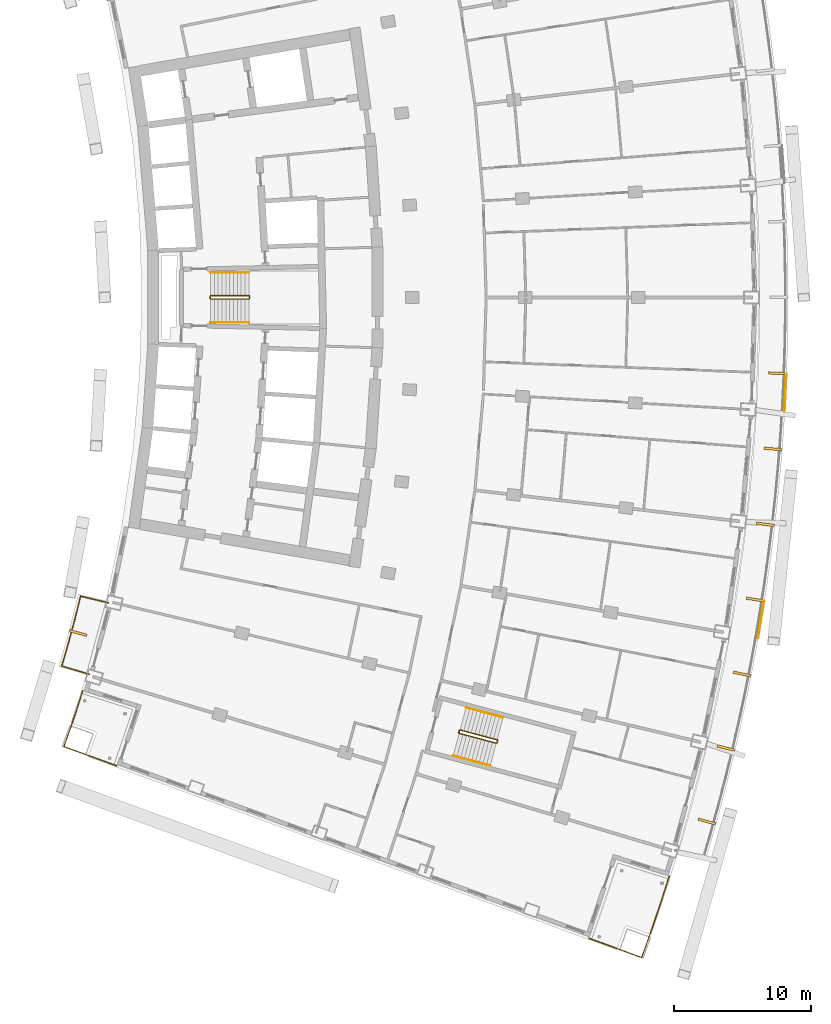
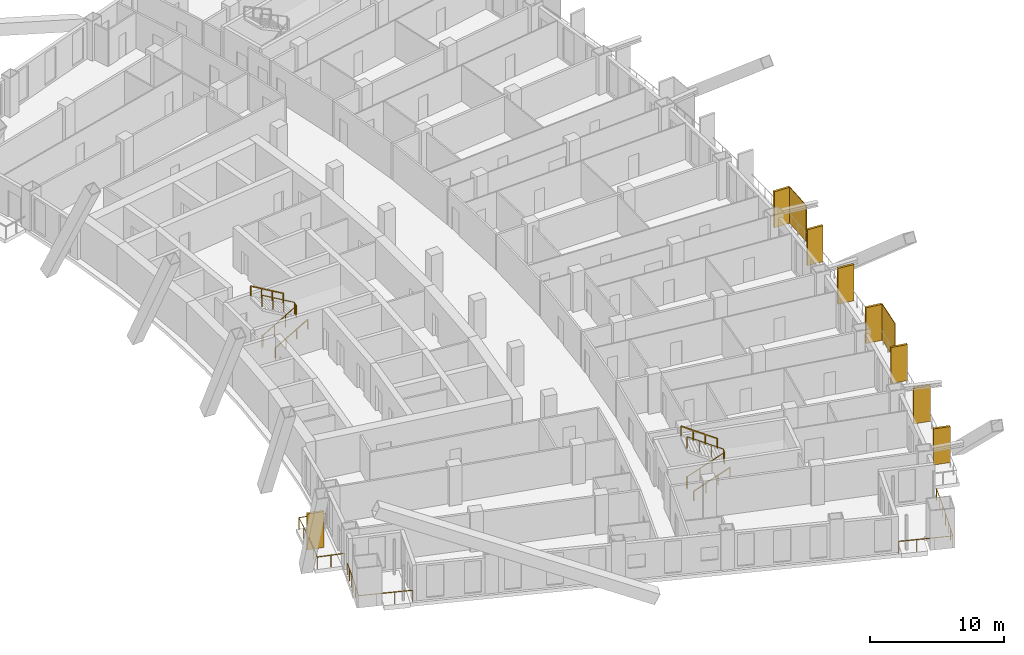
# One storey, part 23 of 25: 10 shading devices, 9 railings.
"""IFC4 building model written with IfcOpenShell, lengths in metres."""

import ifcopenshell
import ifcopenshell.guid

model = None  # the IFC model being written
_history = None  # IfcOwnerHistory: only IFC2X3 demands one
_inside = {}  # id of a spatial element -> (the spatial element, [elements in it])
_under = {}  # id of a project, library or spatial element -> (it, [spatial elements below it])
_declared = {}  # id of a project -> (the project, [libraries it declares])
_typed = {}  # id of a type object -> (the type object, [elements of that type])
_made_of = {}  # id of a material, layer set ... -> (it, [elements and type objects made of it])


def new_model(schema):
    """Start an empty IFC model of exactly this schema.

    Asked for "IFC4X3", IfcOpenShell would pick the latest addendum, in which some entities
    have other attributes; the version numbers below select the first issue.
    IFC2X3 requires an IfcOwnerHistory on every rooted entity: one is made here for all.
    """
    global model, _history
    if schema == "IFC4X3":
        model = ifcopenshell.file(schema_version=(4, 3, 0, 0))
    else:
        model = ifcopenshell.file(schema=schema)
    _inside.clear()
    _under.clear()
    _declared.clear()
    _typed.clear()
    _made_of.clear()
    _history = None
    if model.schema == "IFC2X3":
        org = make("IfcOrganization", Name="unknown")
        user = make(
            "IfcPersonAndOrganization",
            ThePerson=make("IfcPerson", FamilyName="unknown"),
            TheOrganization=org,
        )
        app = make(
            "IfcApplication",
            ApplicationDeveloper=org,
            Version="unknown",
            ApplicationFullName="unknown",
            ApplicationIdentifier="unknown",
        )
        _history = make(
            "IfcOwnerHistory",
            OwningUser=user,
            OwningApplication=app,
            ChangeAction="ADDED",
            CreationDate=0,
        )
    return model


def make(cls, **values):
    """One entity of the class cls with the attributes given. An attribute that is None is left unset."""
    return model.create_entity(
        cls, **{name: value for name, value in values.items() if value is not None}
    )


def rooted(cls, **values):
    """An entity with a GlobalId (a new one), such as an element, a storey or a relation."""
    return make(cls, GlobalId=ifcopenshell.guid.new(), OwnerHistory=_history, **values)


def si_unit(unit_type, name, prefix=None):
    """IfcSIUnit, for example si_unit("LENGTHUNIT", "METRE", prefix="MILLI")."""
    return make("IfcSIUnit", UnitType=unit_type, Prefix=prefix, Name=name)


def assignment(units):
    """IfcUnitAssignment: the units of a project."""
    return None if units is None else make("IfcUnitAssignment", Units=units)


def point(xyz):
    """IfcCartesianPoint."""
    return None if xyz is None else make("IfcCartesianPoint", Coordinates=xyz)


def direction(xyz):
    """IfcDirection."""
    return None if xyz is None else make("IfcDirection", DirectionRatios=xyz)


def frame(location, z_axis=None, x_axis=None):
    """IfcAxis2Placement3D, a coordinate frame: its origin and axes. An axis left out is left unset."""
    return make(
        "IfcAxis2Placement3D",
        Location=point(location),
        Axis=direction(z_axis),
        RefDirection=direction(x_axis),
    )


def frame_2d(location, x_axis=None):
    """IfcAxis2Placement2D, a coordinate frame in the plane: its origin and x axis."""
    return make(
        "IfcAxis2Placement2D", Location=point(location), RefDirection=direction(x_axis)
    )


def origin():
    """The frame at (0, 0, 0) with its axes left unset."""
    return frame((0.0, 0.0, 0.0))


def origin_with_axes():
    """The frame at (0, 0, 0) with the z axis (0, 0, 1) and the x axis (1, 0, 0) written out."""
    return frame((0.0, 0.0, 0.0), z_axis=(0.0, 0.0, 1.0), x_axis=(1.0, 0.0, 0.0))


def origin_2d():
    """The frame at (0, 0) in the plane with its x axis left unset."""
    return frame_2d((0.0, 0.0))


def place(relative_to, where):
    """IfcLocalPlacement: puts the frame where relative to a parent placement (None: the world)."""
    return make(
        "IfcLocalPlacement", PlacementRelTo=relative_to, RelativePlacement=where
    )


def context(
    kind, dimensions, precision=None, world=None, true_north=None, identifier=None
):
    """IfcGeometricRepresentationContext, for example the 3D "Model" context."""
    return make(
        "IfcGeometricRepresentationContext",
        ContextIdentifier=identifier,
        ContextType=kind,
        CoordinateSpaceDimension=dimensions,
        Precision=precision,
        WorldCoordinateSystem=world,
        TrueNorth=true_north,
    )


def subcontext(parent, identifier, kind, view, scale=None):
    """IfcGeometricRepresentationSubContext, for example "Body" below "Model"."""
    return make(
        "IfcGeometricRepresentationSubContext",
        ContextIdentifier=identifier,
        ContextType=kind,
        ParentContext=parent,
        TargetScale=scale,
        TargetView=view,
    )


def project(units=None, contexts=None):
    """IfcProject with its units and contexts."""
    return rooted(
        "IfcProject",
        Name="project",
        RepresentationContexts=contexts,
        UnitsInContext=assignment(units),
    )


def spatial(cls, under=None, at=None, **own):
    """A site, building, storey or space (cls), placed at a placement, below another one or the project."""
    s = rooted(cls, ObjectPlacement=at, **own)
    if under is not None:
        _under.setdefault(under.id(), (under, []))[1].append(s)
    return s


def profile(cls, at=None, kind="AREA", **sizes):
    """A parametric profile (cls). Its sizes go by their IFC names, for example OverallWidth=200.0."""
    return make(cls, ProfileType=kind, Position=at, **sizes)


def rectangle(**sizes):
    """IfcRectangleProfileDef."""
    return profile("IfcRectangleProfileDef", **sizes)


def extrude(swept, where, along, depth):
    """IfcExtrudedAreaSolid: the profile swept, set in the frame where, extruded along a direction by depth."""
    return make(
        "IfcExtrudedAreaSolid",
        SweptArea=swept,
        Position=where,
        ExtrudedDirection=direction(along),
        Depth=depth,
    )


def shape(context_of_items, identifier, shape_type, items):
    """IfcShapeRepresentation: the items that make up one representation, for example the "Body"."""
    return make(
        "IfcShapeRepresentation",
        ContextOfItems=context_of_items,
        RepresentationIdentifier=identifier,
        RepresentationType=shape_type,
        Items=items,
    )


def material(Name=None, Category=None):
    """IfcMaterial."""
    return make("IfcMaterial", Name=Name, Category=Category)


def layer(
    of_material, thickness, ventilated=None, Name=None, Category=None, Priority=None
):
    """IfcMaterialLayer: one layer of a wall or slab, of a material (None: an air gap)."""
    return make(
        "IfcMaterialLayer",
        Material=of_material,
        LayerThickness=thickness,
        IsVentilated=ventilated,
        Name=Name,
        Category=Category,
        Priority=Priority,
    )


def layer_set(layers, Name=None):
    """IfcMaterialLayerSet."""
    return make("IfcMaterialLayerSet", MaterialLayers=layers, LayerSetName=Name)


def made_of(thing, what):
    """Note that an element or type object is made of a material, layer set ...; save() writes the relation."""
    if what is not None:
        _made_of.setdefault(what.id(), (what, []))[1].append(thing)
    return thing


def type_object(cls, material=None, **own):
    """A type object (cls), such as IfcWallType, which elements share."""
    return made_of(rooted(cls, **own), material)


def element(
    cls,
    number,
    at=None,
    inside=None,
    cuts=None,
    type_object=None,
    material=None,
    context=None,
    identifier="Body",
    shape_type=None,
    held_by="IfcProductDefinitionShape",
    body=None,
    shapes=None,
    **own,
):
    """One element of the class cls, such as IfcWall. Its Tag is "e" and its number.

    at: its placement. inside: the storey or other place that contains it. cuts: it is an
    opening in that element (IfcRelVoidsElement). A single representation is given by context,
    identifier, shape_type and body (its items); several are given by shapes. held_by: the class
    of the entity that holds the representations. save() writes the other relations.
    """
    e = rooted(cls, Tag="e%d" % number, ObjectPlacement=at, **own)
    if body is not None:
        shapes = [shape(context, identifier, shape_type, body)]
    if shapes is not None:
        e.Representation = make(held_by, Representations=shapes)
    if inside is not None:
        _inside.setdefault(inside.id(), (inside, []))[1].append(e)
    if cuts is not None:
        rooted(
            "IfcRelVoidsElement", RelatingBuildingElement=cuts, RelatedOpeningElement=e
        )
    if type_object is not None:
        _typed.setdefault(type_object.id(), (type_object, []))[1].append(e)
    return made_of(e, material)


def aggregate(whole, parts):
    """IfcRelAggregates: a whole, such as a stair, and the parts it consists of."""
    return rooted("IfcRelAggregates", RelatingObject=whole, RelatedObjects=parts)


def save(model, path):
    """Write the relations noted so far, then the file.

    IfcRelAggregates (storeys below a building ...), IfcRelContainedInSpatialStructure (elements
    in a storey), IfcRelDefinesByType, IfcRelAssociatesMaterial and IfcRelDeclares: one each for
    every whole, place, type object, material and project.
    """
    for whole, parts in _under.values():
        aggregate(whole, parts)
    for where, things in _inside.values():
        rooted(
            "IfcRelContainedInSpatialStructure",
            RelatedElements=things,
            RelatingStructure=where,
        )
    for kind, things in _typed.values():
        rooted("IfcRelDefinesByType", RelatedObjects=things, RelatingType=kind)
    for what, things in _made_of.values():
        rooted("IfcRelAssociatesMaterial", RelatedObjects=things, RelatingMaterial=what)
    for by, libraries in _declared.values():
        rooted("IfcRelDeclares", RelatingContext=by, RelatedDefinitions=libraries)
    model.write(path)


model = new_model("IFC4")

# Units and contexts
model_context = context("Model", 3, precision=1e-05, world=origin(), true_north=direction((0.0, 1.0)))
body_context = subcontext(model_context, "Body", "Model", "MODEL_VIEW")
ifc_project = project(units=[si_unit("LENGTHUNIT", "METRE"), si_unit("AREAUNIT", "SQUARE_METRE"), si_unit("VOLUMEUNIT", "CUBIC_METRE"), si_unit("PLANEANGLEUNIT", "RADIAN"), si_unit("MASSUNIT", "GRAM", prefix="KILO")], contexts=[model_context])

# Site, building, storey
site_placement = place(None, origin())
site = spatial("IfcSite", under=ifc_project, at=site_placement, CompositionType="ELEMENT")
building_placement = place(site_placement, origin())
building = spatial("IfcBuilding", under=site, at=building_placement, Name="Alderwake Tower", CompositionType="ELEMENT")
storey_placement = place(building_placement, frame((0.0, 0.0, 114.800048828125)))
storey = spatial("IfcBuildingStorey", under=building, at=storey_placement, Name="L28", CompositionType="ELEMENT", Elevation=114.800048828125)

# Railings
ifc_material_1 = material(Name="Stainless steel 316 rail and posts", Category="steel")
railing_type_1 = type_object("IfcRailingType", Name="Balcony guard 1100", PredefinedType="GUARDRAIL", material=ifc_material_1)
railing_1_placement = place(storey_placement, frame((12.16650390625, 33.435791015625, 0.0)))
element("IfcRailing", 1, at=railing_1_placement, inside=storey, type_object=railing_type_1, Name="Guard BR02", PredefinedType="GUARDRAIL", context=body_context, shape_type="SweptSolid", body=[
    extrude(rectangle(XDim=0.048095703125, YDim=0.048095703125, at=origin_2d()), frame((0.0, 0.0, 1.076171875), z_axis=(-0.958091458885, 0.286462486918, 0.0), x_axis=(-0.286462486918, -0.958091458885, 0.0)), (0.0, 0.0, 1.0), 2.099853515625),
    extrude(rectangle(XDim=0.048095703125, YDim=0.048095703125, at=origin_2d()), frame((-2.011962890625, 0.6015625, 1.076171875), z_axis=(0.279963157487, 0.960010744966, 0.0), x_axis=(-0.960010744966, 0.279963157487, 0.0)), (0.0, 0.0, 1.0), 1.272216796875),
    extrude(rectangle(XDim=0.048095703125, YDim=0.048095703125, at=origin_2d()), frame((-1.65576171875, 1.822998046875, 1.076171875), z_axis=(0.266487604617, 0.963838345671, 0.0), x_axis=(-0.963838345671, 0.266487604617, 0.0)), (0.0, 0.0, 1.0), 1.372314453125),
    extrude(rectangle(XDim=0.048095703125, YDim=0.048095703125, at=origin_2d()), frame((-1.2900390625, 3.145751953125, 1.076171875), z_axis=(0.252487086228, 0.967600264204, 0.0), x_axis=(-0.967600264204, 0.252487086228, 0.0)), (0.0, 0.0, 1.0), 1.3720703125),
    extrude(rectangle(XDim=0.048095703125, YDim=0.048095703125, at=origin_2d()), frame((-0.943603515625, 4.473388671875, 1.076171875), z_axis=(0.238877101641, 0.971049808358, 0.0), x_axis=(-0.971049808358, 0.238877101641, 0.0)), (0.0, 0.0, 1.0), 1.2724609375),
    extrude(rectangle(XDim=0.048095703125, YDim=0.048095703125, at=origin_2d()), frame((-0.6396484375, 5.708984375, 1.076171875), z_axis=(0.972646310656, -0.232291098337, 0.0), x_axis=(0.232291098337, 0.972646310656, 0.0)), (0.0, 0.0, 1.0), 2.099853515625),
    extrude(rectangle(XDim=0.0419921875, YDim=0.0419921875, at=origin_2d()), frame((0.0, 0.0, 0.0), z_axis=(0.0, 0.0, 1.0), x_axis=(-0.958091458885, 0.286462486918, 0.0)), (0.0, 0.0, 1.0), 1.052001953125),
    extrude(rectangle(XDim=0.0419921875, YDim=0.0419921875, at=origin_2d()), frame((-1.005859375, 0.30078125, 0.0), z_axis=(0.0, 0.0, 1.0), x_axis=(-0.958091458885, 0.286462486918, 0.0)), (0.0, 0.0, 1.0), 1.052001953125),
    extrude(rectangle(XDim=0.0419921875, YDim=0.0419921875, at=origin_2d()), frame((-2.011962890625, 0.6015625, 0.0), z_axis=(0.0, 0.0, 1.0), x_axis=(0.279963157487, 0.960010744966, 0.0)), (0.0, 0.0, 1.0), 1.052001953125),
    extrude(rectangle(XDim=0.0419921875, YDim=0.0419921875, at=origin_2d()), frame((-1.65576171875, 1.822998046875, 0.0), z_axis=(0.0, 0.0, 1.0), x_axis=(0.266487604617, 0.963838345671, 0.0)), (0.0, 0.0, 1.0), 1.052001953125),
    extrude(rectangle(XDim=0.0419921875, YDim=0.0419921875, at=origin_2d()), frame((-1.2900390625, 3.145751953125, 0.0), z_axis=(0.0, 0.0, 1.0), x_axis=(0.252487086228, 0.967600264204, 0.0)), (0.0, 0.0, 1.0), 1.052001953125),
    extrude(rectangle(XDim=0.0419921875, YDim=0.0419921875, at=origin_2d()), frame((-0.943603515625, 4.473388671875, 0.0), z_axis=(0.0, 0.0, 1.0), x_axis=(0.238877101641, 0.971049808358, 0.0)), (0.0, 0.0, 1.0), 1.052001953125),
    extrude(rectangle(XDim=0.0419921875, YDim=0.0419921875, at=origin_2d()), frame((-0.6396484375, 5.708984375, 0.0), z_axis=(0.0, 0.0, 1.0), x_axis=(0.972646310656, -0.232291098337, 0.0)), (0.0, 0.0, 1.0), 1.052001953125),
    extrude(rectangle(XDim=0.0419921875, YDim=0.0419921875, at=origin_2d()), frame((0.381591796875, 5.465087890625, 0.0), z_axis=(0.0, 0.0, 1.0), x_axis=(0.972646310656, -0.232291098337, 0.0)), (0.0, 0.0, 1.0), 1.052001953125),
    extrude(rectangle(XDim=0.0419921875, YDim=0.0419921875, at=origin_2d()), frame((1.40283203125, 5.22119140625, 0.0), z_axis=(0.0, 0.0, 1.0), x_axis=(0.972646310656, -0.232291098337, 0.0)), (0.0, 0.0, 1.0), 1.052001953125),
])
railing_2_placement = place(storey_placement, frame((54.594970703125, 18.651123046875, 0.0)))
element("IfcRailing", 2, at=railing_2_placement, inside=storey, type_object=railing_type_1, Name="Guard terrace FS", PredefinedType="GUARDRAIL", context=body_context, shape_type="SweptSolid", body=[
    extrude(rectangle(XDim=0.048095703125, YDim=0.048095703125, at=origin_2d()), frame((0.0, 0.0, 1.076171875), z_axis=(-0.307779974329, -0.951457559433, 0.0), x_axis=(0.951457559433, -0.307779974329, 0.0)), (0.0, 0.0, 1.0), 2.257568359375),
    extrude(rectangle(XDim=0.048095703125, YDim=0.048095703125, at=origin_2d()), frame((-0.69482421875, -2.14794921875, 1.076171875), z_axis=(-0.322236651578, -0.946659146884, 0.0), x_axis=(0.946659146884, -0.322236651578, 0.0)), (0.0, 0.0, 1.0), 2.057861328125),
    extrude(rectangle(XDim=0.048095703125, YDim=0.048095703125, at=origin_2d()), frame((-1.35791015625, -4.095947265625, 1.076171875), z_axis=(-0.335838646603, -0.941919531302, 0.0), x_axis=(0.941919531302, -0.335838646603, 0.0)), (0.0, 0.0, 1.0), 1.957763671875),
    extrude(rectangle(XDim=0.048095703125, YDim=0.048095703125, at=origin_2d()), frame((-2.015380859375, -5.93994140625, 1.076171875), z_axis=(-0.939617696184, 0.342225926863, 0.0), x_axis=(-0.342225926863, -0.939617696184, 0.0)), (0.0, 0.0, 1.0), 4.099853515625),
    extrude(rectangle(XDim=0.0419921875, YDim=0.0419921875, at=origin_2d()), frame((0.0, 0.0, 0.0), z_axis=(0.0, 0.0, 1.0), x_axis=(-0.307779974329, -0.951457559433, 0.0)), (0.0, 0.0, 1.0), 1.052001953125),
    extrude(rectangle(XDim=0.0419921875, YDim=0.0419921875, at=origin_2d()), frame((-0.347412109375, -1.073974609375, 0.0), z_axis=(0.0, 0.0, 1.0), x_axis=(-0.307779974329, -0.951457559433, 0.0)), (0.0, 0.0, 1.0), 1.052001953125),
    extrude(rectangle(XDim=0.0419921875, YDim=0.0419921875, at=origin_2d()), frame((-0.69482421875, -2.14794921875, 0.0), z_axis=(0.0, 0.0, 1.0), x_axis=(-0.322236651578, -0.946659146884, 0.0)), (0.0, 0.0, 1.0), 1.052001953125),
    extrude(rectangle(XDim=0.0419921875, YDim=0.0419921875, at=origin_2d()), frame((-1.0263671875, -3.1220703125, 0.0), z_axis=(0.0, 0.0, 1.0), x_axis=(-0.322236651578, -0.946659146884, 0.0)), (0.0, 0.0, 1.0), 1.052001953125),
    extrude(rectangle(XDim=0.0419921875, YDim=0.0419921875, at=origin_2d()), frame((-1.35791015625, -4.095947265625, 0.0), z_axis=(0.0, 0.0, 1.0), x_axis=(-0.335838646603, -0.941919531302, 0.0)), (0.0, 0.0, 1.0), 1.052001953125),
    extrude(rectangle(XDim=0.0419921875, YDim=0.0419921875, at=origin_2d()), frame((-1.6865234375, -5.01806640625, 0.0), z_axis=(0.0, 0.0, 1.0), x_axis=(-0.335838646603, -0.941919531302, 0.0)), (0.0, 0.0, 1.0), 1.052001953125),
    extrude(rectangle(XDim=0.0419921875, YDim=0.0419921875, at=origin_2d()), frame((-2.015380859375, -5.93994140625, 0.0), z_axis=(0.0, 0.0, 1.0), x_axis=(-0.939617696184, 0.342225926863, 0.0)), (0.0, 0.0, 1.0), 1.052001953125),
    extrude(rectangle(XDim=0.0419921875, YDim=0.0419921875, at=origin_2d()), frame((-3.299560546875, -5.47216796875, 0.0), z_axis=(0.0, 0.0, 1.0), x_axis=(-0.939617696184, 0.342225926863, 0.0)), (0.0, 0.0, 1.0), 1.052001953125),
    extrude(rectangle(XDim=0.0419921875, YDim=0.0419921875, at=origin_2d()), frame((-4.58349609375, -5.004638671875, 0.0), z_axis=(0.0, 0.0, 1.0), x_axis=(-0.939617696184, 0.342225926863, 0.0)), (0.0, 0.0, 1.0), 1.052001953125),
    extrude(rectangle(XDim=0.0419921875, YDim=0.0419921875, at=origin_2d()), frame((-5.86767578125, -4.536865234375, 0.0), z_axis=(0.0, 0.0, 1.0), x_axis=(-0.939617696184, 0.342225926863, 0.0)), (0.0, 0.0, 1.0), 1.052001953125),
])
railing_3_placement = place(storey_placement, frame((11.688720703125, 32.218017578125, 0.0)))
element("IfcRailing", 3, at=railing_3_placement, inside=storey, type_object=railing_type_1, Name="Guard terrace RS", PredefinedType="GUARDRAIL", context=body_context, shape_type="SweptSolid", body=[
    extrude(rectangle(XDim=0.048095703125, YDim=0.048095703125, at=origin_2d()), frame((0.0, 0.0, 1.076171875), z_axis=(-0.307479326145, -0.951554761426, 0.0), x_axis=(0.951554761426, -0.307479326145, 0.0)), (0.0, 0.0, 1.0), 1.6015625),
    extrude(rectangle(XDim=0.048095703125, YDim=0.048095703125, at=origin_2d()), frame((-0.492431640625, -1.52392578125, 1.076171875), z_axis=(-0.322283727344, -0.946643121292, 0.0), x_axis=(0.946643121292, -0.322283727344, 0.0)), (0.0, 0.0, 1.0), 1.4013671875),
    extrude(rectangle(XDim=0.048095703125, YDim=0.048095703125, at=origin_2d()), frame((-0.944091796875, -2.8505859375, 1.076171875), z_axis=(-0.335468607403, -0.942051385778, 0.0), x_axis=(0.942051385778, -0.335468607403, 0.0)), (0.0, 0.0, 1.0), 1.30126953125),
    extrude(rectangle(XDim=0.048095703125, YDim=0.048095703125, at=origin_2d()), frame((-1.380615234375, -4.076416015625, 1.076171875), z_axis=(0.939708203232, -0.341977327873, 0.0), x_axis=(0.341977327873, 0.939708203232, 0.0)), (0.0, 0.0, 1.0), 4.10009765625),
    extrude(rectangle(XDim=0.0419921875, YDim=0.0419921875, at=origin_2d()), frame((0.0, 0.0, 0.0), z_axis=(0.0, 0.0, 1.0), x_axis=(-0.307479326145, -0.951554761426, 0.0)), (0.0, 0.0, 1.0), 1.052001953125),
    extrude(rectangle(XDim=0.0419921875, YDim=0.0419921875, at=origin_2d()), frame((-0.24609375, -0.761962890625, 0.0), z_axis=(0.0, 0.0, 1.0), x_axis=(-0.307479326145, -0.951554761426, 0.0)), (0.0, 0.0, 1.0), 1.052001953125),
    extrude(rectangle(XDim=0.0419921875, YDim=0.0419921875, at=origin_2d()), frame((-0.492431640625, -1.52392578125, 0.0), z_axis=(0.0, 0.0, 1.0), x_axis=(-0.322283727344, -0.946643121292, 0.0)), (0.0, 0.0, 1.0), 1.052001953125),
    extrude(rectangle(XDim=0.0419921875, YDim=0.0419921875, at=origin_2d()), frame((-0.71826171875, -2.187255859375, 0.0), z_axis=(0.0, 0.0, 1.0), x_axis=(-0.322283727344, -0.946643121292, 0.0)), (0.0, 0.0, 1.0), 1.052001953125),
    extrude(rectangle(XDim=0.0419921875, YDim=0.0419921875, at=origin_2d()), frame((-0.944091796875, -2.8505859375, 0.0), z_axis=(0.0, 0.0, 1.0), x_axis=(-0.335468607403, -0.942051385778, 0.0)), (0.0, 0.0, 1.0), 1.052001953125),
    extrude(rectangle(XDim=0.0419921875, YDim=0.0419921875, at=origin_2d()), frame((-1.380615234375, -4.076416015625, 0.0), z_axis=(0.0, 0.0, 1.0), x_axis=(0.939708203232, -0.341977327873, 0.0)), (0.0, 0.0, 1.0), 1.052001953125),
    extrude(rectangle(XDim=0.0419921875, YDim=0.0419921875, at=origin_2d()), frame((-0.096435546875, -4.543701171875, 0.0), z_axis=(0.0, 0.0, 1.0), x_axis=(0.939708203232, -0.341977327873, 0.0)), (0.0, 0.0, 1.0), 1.052001953125),
    extrude(rectangle(XDim=0.0419921875, YDim=0.0419921875, at=origin_2d()), frame((1.18798828125, -5.01123046875, 0.0), z_axis=(0.0, 0.0, 1.0), x_axis=(0.939708203232, -0.341977327873, 0.0)), (0.0, 0.0, 1.0), 1.052001953125),
    extrude(rectangle(XDim=0.0419921875, YDim=0.0419921875, at=origin_2d()), frame((2.47216796875, -5.478515625, 0.0), z_axis=(0.0, 0.0, 1.0), x_axis=(0.939708203232, -0.341977327873, 0.0)), (0.0, 0.0, 1.0), 1.052001953125),
])

# Shading devices
ifc_material_2 = material(Name="Bronze anodised aluminium", Category="aluminium")
ifc_layer_1 = layer(ifc_material_2, 0.179931640625)
ifc_layer_set_1 = layer_set([ifc_layer_1], Name="Facade fin 1300")
shading_device_type_1 = type_object("IfcShadingDeviceType", Name="Facade fin 1300", PredefinedType="USERDEFINED", material=ifc_layer_set_1)
for number, where, z_axis, x_axis, name in (
    (4, (57.349609375, 22.661865234375, 0.0), (0.0, 0.0, 1.0), (0.96318180783, -0.268850897459, 0.0), "Fin"),
    (5, (58.73681640625, 28.032470703125, 0.0), (0.0, 0.0, 1.0), (0.972908790564, -0.231189284448, 0.0), "Fin"),
    (6, (59.9140625, 33.452880859375, 0.0), (0.0, 0.0, 1.0), (0.981163751315, -0.193177879441, 0.0), "Fin"),
    (7, (60.877197265625, 38.90087890625, 0.0), (0.0, 0.0, 1.0), (0.987918787879, -0.154972476771, 0.0), "Fin"),
    (8, (61.630126953125, 44.396240234375, 0.0), (0.0, 0.0, 1.0), (0.993198315083, -0.116434990084, 0.0), "Fin"),
    (9, (62.168701171875, 49.9169921875, 0.0), (0.0, 0.0, 1.0), (0.996975122026, -0.077721335943, 0.0), "Fin"),
    (10, (62.4921875, 55.454345703125, 0.0), (0.0, 0.0, 1.0), (0.999243494356, -0.038890088543, 0.0), "Fin"),
    (11, (11.359375, 36.45166015625, 0.0), (0.0, 0.0, 1.0), (0.965744448231, -0.259495010957, 0.0), "Fin"),
):
    element("IfcShadingDevice", number, at=place(storey_placement, frame(where, z_axis=z_axis, x_axis=x_axis)), inside=storey, type_object=shading_device_type_1, Name=name, ObjectType="FIN", PredefinedType="USERDEFINED", context=body_context, shape_type="SweptSolid", body=[
        extrude(rectangle(XDim=1.300048828125, YDim=0.179931640625, at=origin_2d()), origin(), (0.0, 0.0, 1.0), 3.280029296875),
    ])
ifc_material_3 = material(Name="Perforated bronze anodised aluminium", Category="aluminium")
ifc_layer_2 = layer(ifc_material_3, 0.050048828125)
ifc_layer_set_2 = layer_set([ifc_layer_2], Name="Perforated screen panel")
shading_device_type_2 = type_object("IfcShadingDeviceType", Name="Perforated screen panel", PredefinedType="USERDEFINED", material=ifc_layer_set_2)
for number, where, z_axis, x_axis, name in (
    (12, (61.3154296875, 37.425537109375, 0.0), (0.0, 0.0, 1.0), (0.986369013299, -0.164548380739, 0.0), "Screen panel"),
    (13, (63.09912109375, 54.039794921875, 0.0), (0.0, 0.0, 1.0), (0.998819231138, -0.048581308217, 0.0), "Screen panel"),
):
    element("IfcShadingDevice", number, at=place(storey_placement, frame(where, z_axis=z_axis, x_axis=x_axis)), inside=storey, type_object=shading_device_type_2, Name=name, ObjectType="SCREEN", PredefinedType="USERDEFINED", context=body_context, shape_type="SweptSolid", body=[
        extrude(rectangle(XDim=0.050048828125, YDim=2.779541015625, at=origin_2d()), origin(), (0.0, 0.0, 1.0), 3.280029296875),
    ])

# Railings
ifc_material_4 = material(Name="Stainless steel guard", Category="steel")
railing_type_2 = type_object("IfcRailingType", Name="Stair guard 1100", PredefinedType="GUARDRAIL", material=ifc_material_4)
railing_4_placement = place(storey_placement, frame((20.989990234375, 60.925048828125, 0.0)))
element("IfcRailing", 14, at=railing_4_placement, inside=storey, type_object=railing_type_2, Name="L28 ST-B stair guard 1", PredefinedType="GUARDRAIL", context=body_context, shape_type="SweptSolid", body=[
    extrude(rectangle(XDim=0.048095703125, YDim=0.048095703125, at=origin_2d()), frame((0.0, 0.0, 1.076171875), z_axis=(0.0, 1.0, 0.0), x_axis=(-1.0, 0.0, 0.0)), (0.0, 0.0, 1.0), 0.14990234375),
    extrude(rectangle(XDim=0.048095703125, YDim=0.048095703125, at=origin_2d()), frame((0.0, 0.14990234375, 1.076171875), z_axis=(0.190199549216, -0.759870394187, 0.621627795), x_axis=(0.970072785993, 0.242814311512, 0.0)), (0.0, 0.0, 1.0), 0.26318359375),
    extrude(rectangle(XDim=0.048095703125, YDim=0.048095703125, at=origin_2d()), frame((0.050048828125, -0.050048828125, 1.23974609375), z_axis=(0.863360870873, 0.0, 0.504586966384), x_axis=(0.0, 1.0, 0.0)), (0.0, 0.0, 1.0), 3.2431640625),
    extrude(rectangle(XDim=0.048095703125, YDim=0.048095703125, at=origin_2d()), frame((2.85009765625, -0.050048828125, 2.8759765625), z_axis=(0.705375805398, 0.708833529934, 0.0), x_axis=(-0.708833529934, 0.705375805398, 0.0)), (0.0, 0.0, 1.0), 0.070556640625),
    extrude(rectangle(XDim=0.048095703125, YDim=0.048095703125, at=origin_2d()), frame((2.89990234375, 0.0, 2.8759765625), z_axis=(0.0, 1.0, 0.0), x_axis=(-1.0, 0.0, 0.0)), (0.0, 0.0, 1.0), 0.14990234375),
    extrude(rectangle(XDim=0.048095703125, YDim=0.048095703125, at=origin_2d()), frame((2.89990234375, 0.14990234375, 2.8759765625), z_axis=(-0.279546231943, 0.280916556609, 0.91811752648), x_axis=(-0.708833529934, -0.705375805398, 0.0)), (0.0, 0.0, 1.0), 0.17822265625),
    extrude(rectangle(XDim=0.048095703125, YDim=0.048095703125, at=origin_2d()), frame((2.85009765625, 0.199951171875, 3.03955078125), z_axis=(-0.863393664356, 0.0, 0.504530851732), x_axis=(0.0, -1.0, 0.0)), (0.0, 0.0, 1.0), 3.2431640625),
    extrude(rectangle(XDim=0.0419921875, YDim=0.0419921875, at=origin_2d()), frame((0.0, 0.0, 0.0), z_axis=(0.0, 0.0, 1.0), x_axis=(0.0, 1.0, 0.0)), (0.0, 0.0, 1.0), 1.052001953125),
    extrude(rectangle(XDim=0.0419921875, YDim=0.0419921875, at=origin_2d()), frame((0.0, 0.14990234375, 0.0), z_axis=(0.0, 0.0, 1.0), x_axis=(0.242814311512, -0.970072785993, 0.0)), (0.0, 0.0, 1.0), 1.052001953125),
    extrude(rectangle(XDim=0.0419921875, YDim=0.0419921875, at=origin_2d()), frame((0.050048828125, -0.050048828125, 0.16357421875), z_axis=(0.0, 0.0, 1.0), x_axis=(1.0, 0.0, 0.0)), (0.0, 0.0, 1.0), 1.052001953125),
    extrude(rectangle(XDim=0.0419921875, YDim=0.0419921875, at=origin_2d()), frame((0.9833984375, -0.050048828125, 0.708984375), z_axis=(0.0, 0.0, 1.0), x_axis=(1.0, 0.0, 0.0)), (0.0, 0.0, 1.0), 1.052001953125),
    extrude(rectangle(XDim=0.0419921875, YDim=0.0419921875, at=origin_2d()), frame((1.916748046875, -0.050048828125, 1.254638671875), z_axis=(0.0, 0.0, 1.0), x_axis=(1.0, 0.0, 0.0)), (0.0, 0.0, 1.0), 1.052001953125),
    extrude(rectangle(XDim=0.0419921875, YDim=0.0419921875, at=origin_2d()), frame((2.85009765625, -0.050048828125, 1.800048828125), z_axis=(0.0, 0.0, 1.0), x_axis=(0.705375805398, 0.708833529934, 0.0)), (0.0, 0.0, 1.0), 1.052001953125),
    extrude(rectangle(XDim=0.0419921875, YDim=0.0419921875, at=origin_2d()), frame((2.89990234375, 0.0, 1.800048828125), z_axis=(0.0, 0.0, 1.0), x_axis=(0.0, 1.0, 0.0)), (0.0, 0.0, 1.0), 1.052001953125),
    extrude(rectangle(XDim=0.0419921875, YDim=0.0419921875, at=origin_2d()), frame((2.89990234375, 0.14990234375, 1.800048828125), z_axis=(0.0, 0.0, 1.0), x_axis=(-0.705375805398, 0.708833529934, 0.0)), (0.0, 0.0, 1.0), 1.052001953125),
    extrude(rectangle(XDim=0.0419921875, YDim=0.0419921875, at=origin_2d()), frame((2.85009765625, 0.199951171875, 1.963623046875), z_axis=(0.0, 0.0, 1.0), x_axis=(-1.0, 0.0, 0.0)), (0.0, 0.0, 1.0), 1.052001953125),
    extrude(rectangle(XDim=0.0419921875, YDim=0.0419921875, at=origin_2d()), frame((1.916748046875, 0.199951171875, 2.509033203125), z_axis=(0.0, 0.0, 1.0), x_axis=(-1.0, 0.0, 0.0)), (0.0, 0.0, 1.0), 1.052001953125),
    extrude(rectangle(XDim=0.0419921875, YDim=0.0419921875, at=origin_2d()), frame((0.9833984375, 0.199951171875, 3.054443359375), z_axis=(0.0, 0.0, 1.0), x_axis=(-1.0, 0.0, 0.0)), (0.0, 0.0, 1.0), 1.052001953125),
    extrude(rectangle(XDim=0.0419921875, YDim=0.0419921875, at=origin_2d()), frame((0.050048828125, 0.199951171875, 3.599853515625), z_axis=(0.0, 0.0, 1.0), x_axis=(-1.0, 0.0, 0.0)), (0.0, 0.0, 1.0), 1.052001953125),
])
railing_5_placement = place(storey_placement, frame((39.1943359375, 29.17431640625, 0.0)))
element("IfcRailing", 15, at=railing_5_placement, inside=storey, type_object=railing_type_2, Name="L28 ST-C stair guard 1", PredefinedType="GUARDRAIL", context=body_context, shape_type="SweptSolid", body=[
    extrude(rectangle(XDim=0.048095703125, YDim=0.048095703125, at=origin_2d()), frame((0.0, 0.0, 1.076171875), z_axis=(0.257459803502, 0.966289009345, 0.0), x_axis=(-0.966289009345, 0.257459803502, 0.0)), (0.0, 0.0, 1.0), 0.14990234375),
    extrude(rectangle(XDim=0.048095703125, YDim=0.048095703125, at=origin_2d()), frame((0.03857421875, 0.144775390625, 1.076171875), z_axis=(-0.012062893862, -0.783160186125, 0.621702991355), x_axis=(0.999881397308, -0.015401016783, 0.0)), (0.0, 0.0, 1.0), 0.26318359375),
    extrude(rectangle(XDim=0.048095703125, YDim=0.048095703125, at=origin_2d()), frame((0.035400390625, -0.061279296875, 1.23974609375), z_axis=(0.834281824786, -0.222214197128, 0.504573768072), x_axis=(0.257380452725, 0.966310148221, 0.0)), (0.0, 0.0, 1.0), 3.2431640625),
    extrude(rectangle(XDim=0.048095703125, YDim=0.048095703125, at=origin_2d()), frame((2.7412109375, -0.781982421875, 2.8759765625), z_axis=(0.865031189262, 0.501718089772, 0.0), x_axis=(-0.501718089772, 0.865031189262, 0.0)), (0.0, 0.0, 1.0), 0.070556640625),
    extrude(rectangle(XDim=0.048095703125, YDim=0.048095703125, at=origin_2d()), frame((2.80224609375, -0.74658203125, 2.8759765625), z_axis=(0.257055032184, 0.966396766566, 0.0), x_axis=(-0.966396766566, 0.257055032184, 0.0)), (0.0, 0.0, 1.0), 0.150146484375),
    extrude(rectangle(XDim=0.048095703125, YDim=0.048095703125, at=origin_2d()), frame((2.8408203125, -0.6015625, 2.8759765625), z_axis=(-0.198625291617, 0.343827228937, 0.91778583023), x_axis=(-0.865898279276, -0.500220121494, 0.0)), (0.0, 0.0, 1.0), 0.17822265625),
    extrude(rectangle(XDim=0.048095703125, YDim=0.048095703125, at=origin_2d()), frame((2.805419921875, -0.540283203125, 3.03955078125), z_axis=(-0.834290631165, 0.222236594766, 0.504549342183), x_axis=(-0.257402139082, -0.966304371715, 0.0)), (0.0, 0.0, 1.0), 3.242919921875),
    extrude(rectangle(XDim=0.0419921875, YDim=0.0419921875, at=origin_2d()), frame((0.0, 0.0, 0.0), z_axis=(0.0, 0.0, 1.0), x_axis=(0.257459803502, 0.966289009345, 0.0)), (0.0, 0.0, 1.0), 1.052001953125),
    extrude(rectangle(XDim=0.0419921875, YDim=0.0419921875, at=origin_2d()), frame((0.03857421875, 0.144775390625, 0.0), z_axis=(0.0, 0.0, 1.0), x_axis=(-0.015401016783, -0.999881397308, 0.0)), (0.0, 0.0, 1.0), 1.052001953125),
    extrude(rectangle(XDim=0.0419921875, YDim=0.0419921875, at=origin_2d()), frame((0.035400390625, -0.061279296875, 0.16357421875), z_axis=(0.0, 0.0, 1.0), x_axis=(0.966310148221, -0.257380452725, 0.0)), (0.0, 0.0, 1.0), 1.052001953125),
    extrude(rectangle(XDim=0.0419921875, YDim=0.0419921875, at=origin_2d()), frame((0.937255859375, -0.301513671875, 0.708984375), z_axis=(0.0, 0.0, 1.0), x_axis=(0.966310148221, -0.257380452725, 0.0)), (0.0, 0.0, 1.0), 1.052001953125),
    extrude(rectangle(XDim=0.0419921875, YDim=0.0419921875, at=origin_2d()), frame((1.83935546875, -0.541748046875, 1.254638671875), z_axis=(0.0, 0.0, 1.0), x_axis=(0.966310148221, -0.257380452725, 0.0)), (0.0, 0.0, 1.0), 1.052001953125),
    extrude(rectangle(XDim=0.0419921875, YDim=0.0419921875, at=origin_2d()), frame((2.7412109375, -0.781982421875, 1.800048828125), z_axis=(0.0, 0.0, 1.0), x_axis=(0.865031189262, 0.501718089772, 0.0)), (0.0, 0.0, 1.0), 1.052001953125),
    extrude(rectangle(XDim=0.0419921875, YDim=0.0419921875, at=origin_2d()), frame((2.80224609375, -0.74658203125, 1.800048828125), z_axis=(0.0, 0.0, 1.0), x_axis=(0.257055032184, 0.966396766566, 0.0)), (0.0, 0.0, 1.0), 1.052001953125),
    extrude(rectangle(XDim=0.0419921875, YDim=0.0419921875, at=origin_2d()), frame((2.8408203125, -0.6015625, 1.800048828125), z_axis=(0.0, 0.0, 1.0), x_axis=(-0.500220121494, 0.865898279276, 0.0)), (0.0, 0.0, 1.0), 1.052001953125),
    extrude(rectangle(XDim=0.0419921875, YDim=0.0419921875, at=origin_2d()), frame((2.805419921875, -0.540283203125, 1.963623046875), z_axis=(0.0, 0.0, 1.0), x_axis=(-0.966304371715, 0.257402139082, 0.0)), (0.0, 0.0, 1.0), 1.052001953125),
    extrude(rectangle(XDim=0.0419921875, YDim=0.0419921875, at=origin_2d()), frame((1.903564453125, -0.300048828125, 2.509033203125), z_axis=(0.0, 0.0, 1.0), x_axis=(-0.966304371715, 0.257402139082, 0.0)), (0.0, 0.0, 1.0), 1.052001953125),
    extrude(rectangle(XDim=0.0419921875, YDim=0.0419921875, at=origin_2d()), frame((1.001708984375, -0.059814453125, 3.054443359375), z_axis=(0.0, 0.0, 1.0), x_axis=(-0.966304371715, 0.257402139082, 0.0)), (0.0, 0.0, 1.0), 1.052001953125),
    extrude(rectangle(XDim=0.0419921875, YDim=0.0419921875, at=origin_2d()), frame((0.099853515625, 0.180419921875, 3.599853515625), z_axis=(0.0, 0.0, 1.0), x_axis=(-0.966304371715, 0.257402139082, 0.0)), (0.0, 0.0, 1.0), 1.052001953125),
])
ifc_material_5 = material(Name="Stainless steel handrail", Category="steel")
railing_type_3 = type_object("IfcRailingType", Name="Stair handrail 900", PredefinedType="HANDRAIL", material=ifc_material_5)
railing_6_placement = place(storey_placement, frame((21.0400390625, 59.175048828125, 0.16357421875)))
element("IfcRailing", 16, at=railing_6_placement, inside=storey, type_object=railing_type_3, Name="L28 ST-B stair handrail 1", PredefinedType="HANDRAIL", context=body_context, shape_type="SweptSolid", body=[
    extrude(rectangle(XDim=0.048095703125, YDim=0.048095703125, at=origin_2d()), frame((0.0, 0.0, 0.8759765625), z_axis=(0.863360870873, 0.0, 0.504586966384), x_axis=(0.0, 1.0, 0.0)), (0.0, 0.0, 1.0), 3.2431640625),
    extrude(rectangle(XDim=0.0419921875, YDim=0.0419921875, at=origin_2d()), origin_with_axes(), (0.0, 0.0, 1.0), 0.851806640625),
    extrude(rectangle(XDim=0.0419921875, YDim=0.0419921875, at=origin_2d()), frame((0.933349609375, 0.0, 0.54541015625), z_axis=(0.0, 0.0, 1.0), x_axis=(1.0, 0.0, 0.0)), (0.0, 0.0, 1.0), 0.851806640625),
    extrude(rectangle(XDim=0.0419921875, YDim=0.0419921875, at=origin_2d()), frame((1.86669921875, 0.0, 1.091064453125), z_axis=(0.0, 0.0, 1.0), x_axis=(1.0, 0.0, 0.0)), (0.0, 0.0, 1.0), 0.851806640625),
    extrude(rectangle(XDim=0.0419921875, YDim=0.0419921875, at=origin_2d()), frame((2.800048828125, 0.0, 1.636474609375), z_axis=(0.0, 0.0, 1.0), x_axis=(1.0, 0.0, 0.0)), (0.0, 0.0, 1.0), 0.851806640625),
])
railing_7_placement = place(storey_placement, frame((23.840087890625, 62.824951171875, 1.963623046875)))
element("IfcRailing", 17, at=railing_7_placement, inside=storey, type_object=railing_type_3, Name="L28 ST-B stair handrail 2", PredefinedType="HANDRAIL", context=body_context, shape_type="SweptSolid", body=[
    extrude(rectangle(XDim=0.048095703125, YDim=0.048095703125, at=origin_2d()), frame((0.0, 0.0, 0.8759765625), z_axis=(-0.863393664356, 0.0, 0.504530851732), x_axis=(0.0, -1.0, 0.0)), (0.0, 0.0, 1.0), 3.2431640625),
    extrude(rectangle(XDim=0.0419921875, YDim=0.0419921875, at=origin_2d()), frame((0.0, 0.0, 0.0), z_axis=(0.0, 0.0, 1.0), x_axis=(-1.0, 0.0, 0.0)), (0.0, 0.0, 1.0), 0.851806640625),
    extrude(rectangle(XDim=0.0419921875, YDim=0.0419921875, at=origin_2d()), frame((-0.933349609375, 0.0, 0.54541015625), z_axis=(0.0, 0.0, 1.0), x_axis=(-1.0, 0.0, 0.0)), (0.0, 0.0, 1.0), 0.851806640625),
    extrude(rectangle(XDim=0.0419921875, YDim=0.0419921875, at=origin_2d()), frame((-1.86669921875, 0.0, 1.0908203125), z_axis=(0.0, 0.0, 1.0), x_axis=(-1.0, 0.0, 0.0)), (0.0, 0.0, 1.0), 0.851806640625),
    extrude(rectangle(XDim=0.0419921875, YDim=0.0419921875, at=origin_2d()), frame((-2.800048828125, 0.0, 1.63623046875), z_axis=(0.0, 0.0, 1.0), x_axis=(-1.0, 0.0, 0.0)), (0.0, 0.0, 1.0), 0.851806640625),
])
railing_8_placement = place(storey_placement, frame((38.792236328125, 27.47021484375, 0.16357421875)))
element("IfcRailing", 18, at=railing_8_placement, inside=storey, type_object=railing_type_3, Name="L28 ST-C stair handrail 1", PredefinedType="HANDRAIL", context=body_context, shape_type="SweptSolid", body=[
    extrude(rectangle(XDim=0.048095703125, YDim=0.048095703125, at=origin_2d()), frame((0.0, 0.0, 0.8759765625), z_axis=(0.834272895437, -0.222156588561, 0.504613898043), x_axis=(0.25732071773, 0.966326056891, 0.0)), (0.0, 0.0, 1.0), 3.242919921875),
    extrude(rectangle(XDim=0.0419921875, YDim=0.0419921875, at=origin_2d()), frame((0.0, 0.0, 0.0), z_axis=(0.0, 0.0, 1.0), x_axis=(0.966326056891, -0.25732071773, 0.0)), (0.0, 0.0, 1.0), 0.851806640625),
    extrude(rectangle(XDim=0.0419921875, YDim=0.0419921875, at=origin_2d()), frame((0.90185546875, -0.240234375, 0.54541015625), z_axis=(0.0, 0.0, 1.0), x_axis=(0.966326056891, -0.25732071773, 0.0)), (0.0, 0.0, 1.0), 0.851806640625),
    extrude(rectangle(XDim=0.0419921875, YDim=0.0419921875, at=origin_2d()), frame((1.8037109375, -0.480224609375, 1.091064453125), z_axis=(0.0, 0.0, 1.0), x_axis=(0.966326056891, -0.25732071773, 0.0)), (0.0, 0.0, 1.0), 0.851806640625),
    extrude(rectangle(XDim=0.0419921875, YDim=0.0419921875, at=origin_2d()), frame((2.70556640625, -0.720458984375, 1.636474609375), z_axis=(0.0, 0.0, 1.0), x_axis=(0.966326056891, -0.25732071773, 0.0)), (0.0, 0.0, 1.0), 0.851806640625),
])
railing_9_placement = place(storey_placement, frame((42.437255859375, 30.276611328125, 1.963623046875)))
element("IfcRailing", 19, at=railing_9_placement, inside=storey, type_object=railing_type_3, Name="L28 ST-C stair handrail 2", PredefinedType="HANDRAIL", context=body_context, shape_type="SweptSolid", body=[
    extrude(rectangle(XDim=0.048095703125, YDim=0.048095703125, at=origin_2d()), frame((0.0, 0.0, 0.8759765625), z_axis=(-0.834290631165, 0.222236594766, 0.504549342183), x_axis=(-0.257402139082, -0.966304371715, 0.0)), (0.0, 0.0, 1.0), 3.242919921875),
    extrude(rectangle(XDim=0.0419921875, YDim=0.0419921875, at=origin_2d()), frame((0.0, 0.0, 0.0), z_axis=(0.0, 0.0, 1.0), x_axis=(-0.966304371715, 0.257402139082, 0.0)), (0.0, 0.0, 1.0), 0.851806640625),
    extrude(rectangle(XDim=0.0419921875, YDim=0.0419921875, at=origin_2d()), frame((-0.90185546875, 0.240234375, 0.54541015625), z_axis=(0.0, 0.0, 1.0), x_axis=(-0.966304371715, 0.257402139082, 0.0)), (0.0, 0.0, 1.0), 0.851806640625),
    extrude(rectangle(XDim=0.0419921875, YDim=0.0419921875, at=origin_2d()), frame((-1.8037109375, 0.48046875, 1.0908203125), z_axis=(0.0, 0.0, 1.0), x_axis=(-0.966304371715, 0.257402139082, 0.0)), (0.0, 0.0, 1.0), 0.851806640625),
    extrude(rectangle(XDim=0.0419921875, YDim=0.0419921875, at=origin_2d()), frame((-2.70556640625, 0.720703125, 1.63623046875), z_axis=(0.0, 0.0, 1.0), x_axis=(-0.966304371715, 0.257402139082, 0.0)), (0.0, 0.0, 1.0), 0.851806640625),
])

save(model, "model.ifc")
